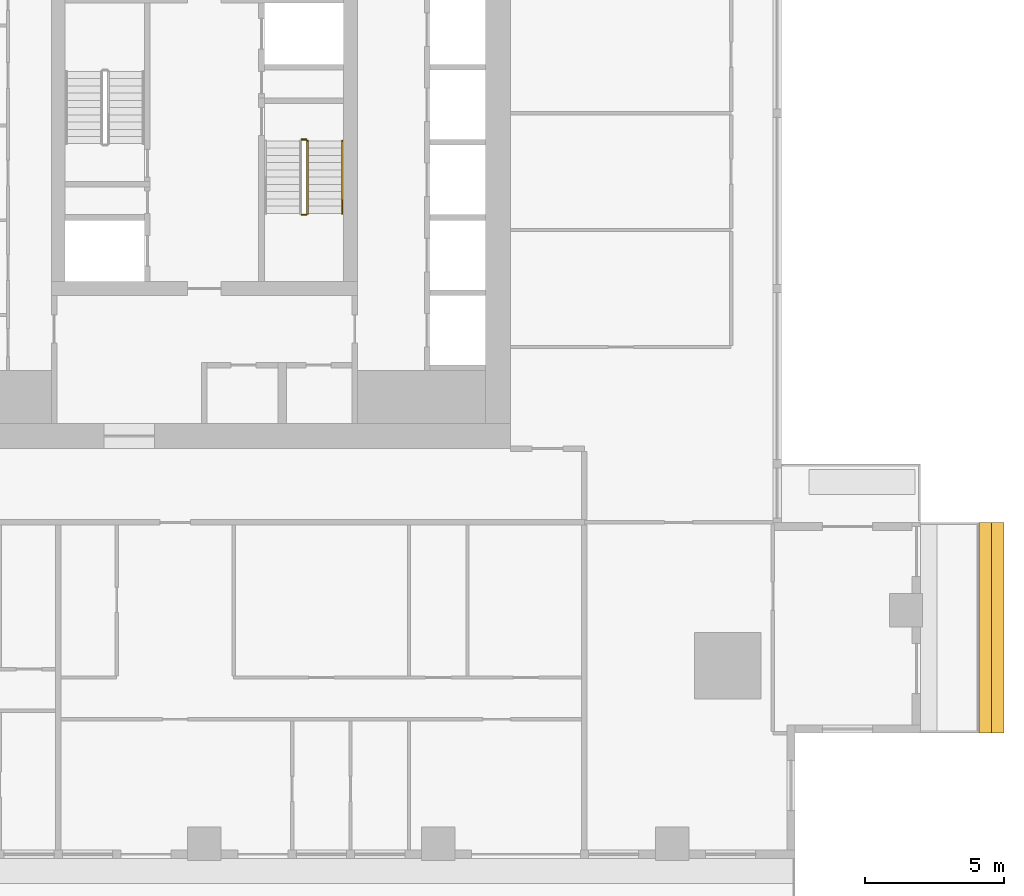
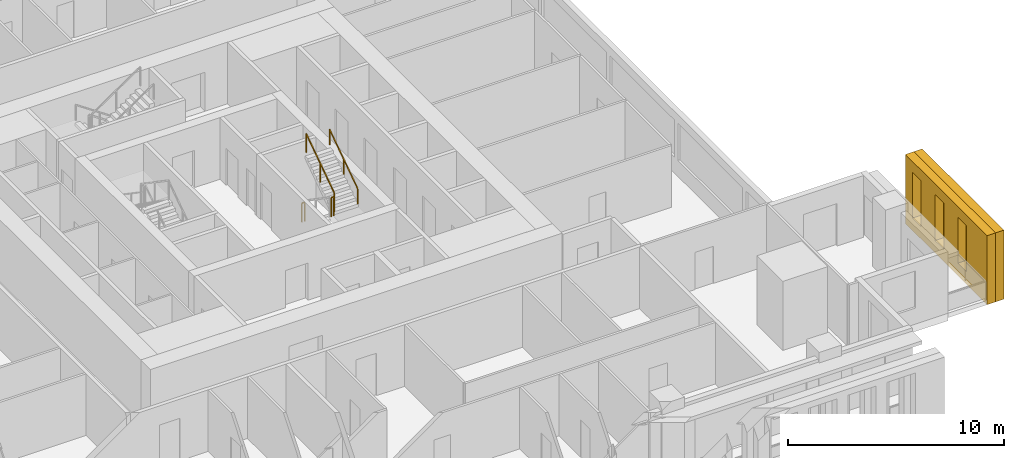
# One storey, part 13 of 15: 4 railings, 2 shading devices.
"""IFC4 building model written with IfcOpenShell, lengths in metres."""

import ifcopenshell
import ifcopenshell.guid

model = None  # the IFC model being written
_history = None  # IfcOwnerHistory: only IFC2X3 demands one
_inside = {}  # id of a spatial element -> (the spatial element, [elements in it])
_under = {}  # id of a project, library or spatial element -> (it, [spatial elements below it])
_declared = {}  # id of a project -> (the project, [libraries it declares])
_typed = {}  # id of a type object -> (the type object, [elements of that type])
_made_of = {}  # id of a material, layer set ... -> (it, [elements and type objects made of it])


def new_model(schema):
    """Start an empty IFC model of exactly this schema.

    Asked for "IFC4X3", IfcOpenShell would pick the latest addendum, in which some entities
    have other attributes; the version numbers below select the first issue.
    IFC2X3 requires an IfcOwnerHistory on every rooted entity: one is made here for all.
    """
    global model, _history
    if schema == "IFC4X3":
        model = ifcopenshell.file(schema_version=(4, 3, 0, 0))
    else:
        model = ifcopenshell.file(schema=schema)
    _inside.clear()
    _under.clear()
    _declared.clear()
    _typed.clear()
    _made_of.clear()
    _history = None
    if model.schema == "IFC2X3":
        org = make("IfcOrganization", Name="unknown")
        user = make(
            "IfcPersonAndOrganization",
            ThePerson=make("IfcPerson", FamilyName="unknown"),
            TheOrganization=org,
        )
        app = make(
            "IfcApplication",
            ApplicationDeveloper=org,
            Version="unknown",
            ApplicationFullName="unknown",
            ApplicationIdentifier="unknown",
        )
        _history = make(
            "IfcOwnerHistory",
            OwningUser=user,
            OwningApplication=app,
            ChangeAction="ADDED",
            CreationDate=0,
        )
    return model


def make(cls, **values):
    """One entity of the class cls with the attributes given. An attribute that is None is left unset."""
    return model.create_entity(
        cls, **{name: value for name, value in values.items() if value is not None}
    )


def rooted(cls, **values):
    """An entity with a GlobalId (a new one), such as an element, a storey or a relation."""
    return make(cls, GlobalId=ifcopenshell.guid.new(), OwnerHistory=_history, **values)


def si_unit(unit_type, name, prefix=None):
    """IfcSIUnit, for example si_unit("LENGTHUNIT", "METRE", prefix="MILLI")."""
    return make("IfcSIUnit", UnitType=unit_type, Prefix=prefix, Name=name)


def assignment(units):
    """IfcUnitAssignment: the units of a project."""
    return None if units is None else make("IfcUnitAssignment", Units=units)


def point(xyz):
    """IfcCartesianPoint."""
    return None if xyz is None else make("IfcCartesianPoint", Coordinates=xyz)


def direction(xyz):
    """IfcDirection."""
    return None if xyz is None else make("IfcDirection", DirectionRatios=xyz)


def frame(location, z_axis=None, x_axis=None):
    """IfcAxis2Placement3D, a coordinate frame: its origin and axes. An axis left out is left unset."""
    return make(
        "IfcAxis2Placement3D",
        Location=point(location),
        Axis=direction(z_axis),
        RefDirection=direction(x_axis),
    )


def frame_2d(location, x_axis=None):
    """IfcAxis2Placement2D, a coordinate frame in the plane: its origin and x axis."""
    return make(
        "IfcAxis2Placement2D", Location=point(location), RefDirection=direction(x_axis)
    )


def origin():
    """The frame at (0, 0, 0) with its axes left unset."""
    return frame((0.0, 0.0, 0.0))


def origin_2d():
    """The frame at (0, 0) in the plane with its x axis left unset."""
    return frame_2d((0.0, 0.0))


def place(relative_to, where):
    """IfcLocalPlacement: puts the frame where relative to a parent placement (None: the world)."""
    return make(
        "IfcLocalPlacement", PlacementRelTo=relative_to, RelativePlacement=where
    )


def context(
    kind, dimensions, precision=None, world=None, true_north=None, identifier=None
):
    """IfcGeometricRepresentationContext, for example the 3D "Model" context."""
    return make(
        "IfcGeometricRepresentationContext",
        ContextIdentifier=identifier,
        ContextType=kind,
        CoordinateSpaceDimension=dimensions,
        Precision=precision,
        WorldCoordinateSystem=world,
        TrueNorth=true_north,
    )


def subcontext(parent, identifier, kind, view, scale=None):
    """IfcGeometricRepresentationSubContext, for example "Body" below "Model"."""
    return make(
        "IfcGeometricRepresentationSubContext",
        ContextIdentifier=identifier,
        ContextType=kind,
        ParentContext=parent,
        TargetScale=scale,
        TargetView=view,
    )


def project(units=None, contexts=None):
    """IfcProject with its units and contexts."""
    return rooted(
        "IfcProject",
        Name="project",
        RepresentationContexts=contexts,
        UnitsInContext=assignment(units),
    )


def spatial(cls, under=None, at=None, **own):
    """A site, building, storey or space (cls), placed at a placement, below another one or the project."""
    s = rooted(cls, ObjectPlacement=at, **own)
    if under is not None:
        _under.setdefault(under.id(), (under, []))[1].append(s)
    return s


def polyline(points):
    """IfcPolyline through the points."""
    return make("IfcPolyline", Points=[point(p) for p in points])


def profile(cls, at=None, kind="AREA", **sizes):
    """A parametric profile (cls). Its sizes go by their IFC names, for example OverallWidth=200.0."""
    return make(cls, ProfileType=kind, Position=at, **sizes)


def rectangle(**sizes):
    """IfcRectangleProfileDef."""
    return profile("IfcRectangleProfileDef", **sizes)


def outline(outer, holes=None, kind="AREA"):
    """IfcArbitraryClosedProfileDef: a profile drawn as a closed curve; with holes, ...WithVoids."""
    if holes is None:
        return make("IfcArbitraryClosedProfileDef", ProfileType=kind, OuterCurve=outer)
    return make(
        "IfcArbitraryProfileDefWithVoids",
        ProfileType=kind,
        OuterCurve=outer,
        InnerCurves=holes,
    )


def extrude(swept, where, along, depth):
    """IfcExtrudedAreaSolid: the profile swept, set in the frame where, extruded along a direction by depth."""
    return make(
        "IfcExtrudedAreaSolid",
        SweptArea=swept,
        Position=where,
        ExtrudedDirection=direction(along),
        Depth=depth,
    )


def shape(context_of_items, identifier, shape_type, items):
    """IfcShapeRepresentation: the items that make up one representation, for example the "Body"."""
    return make(
        "IfcShapeRepresentation",
        ContextOfItems=context_of_items,
        RepresentationIdentifier=identifier,
        RepresentationType=shape_type,
        Items=items,
    )


def material(Name=None, Category=None):
    """IfcMaterial."""
    return make("IfcMaterial", Name=Name, Category=Category)


def made_of(thing, what):
    """Note that an element or type object is made of a material, layer set ...; save() writes the relation."""
    if what is not None:
        _made_of.setdefault(what.id(), (what, []))[1].append(thing)
    return thing


def type_object(cls, material=None, **own):
    """A type object (cls), such as IfcWallType, which elements share."""
    return made_of(rooted(cls, **own), material)


def element(
    cls,
    number,
    at=None,
    inside=None,
    cuts=None,
    type_object=None,
    material=None,
    context=None,
    identifier="Body",
    shape_type=None,
    held_by="IfcProductDefinitionShape",
    body=None,
    shapes=None,
    **own,
):
    """One element of the class cls, such as IfcWall. Its Tag is "e" and its number.

    at: its placement. inside: the storey or other place that contains it. cuts: it is an
    opening in that element (IfcRelVoidsElement). A single representation is given by context,
    identifier, shape_type and body (its items); several are given by shapes. held_by: the class
    of the entity that holds the representations. save() writes the other relations.
    """
    e = rooted(cls, Tag="e%d" % number, ObjectPlacement=at, **own)
    if body is not None:
        shapes = [shape(context, identifier, shape_type, body)]
    if shapes is not None:
        e.Representation = make(held_by, Representations=shapes)
    if inside is not None:
        _inside.setdefault(inside.id(), (inside, []))[1].append(e)
    if cuts is not None:
        rooted(
            "IfcRelVoidsElement", RelatingBuildingElement=cuts, RelatedOpeningElement=e
        )
    if type_object is not None:
        _typed.setdefault(type_object.id(), (type_object, []))[1].append(e)
    return made_of(e, material)


def aggregate(whole, parts):
    """IfcRelAggregates: a whole, such as a stair, and the parts it consists of."""
    return rooted("IfcRelAggregates", RelatingObject=whole, RelatedObjects=parts)


def save(model, path):
    """Write the relations noted so far, then the file.

    IfcRelAggregates (storeys below a building ...), IfcRelContainedInSpatialStructure (elements
    in a storey), IfcRelDefinesByType, IfcRelAssociatesMaterial and IfcRelDeclares: one each for
    every whole, place, type object, material and project.
    """
    for whole, parts in _under.values():
        aggregate(whole, parts)
    for where, things in _inside.values():
        rooted(
            "IfcRelContainedInSpatialStructure",
            RelatedElements=things,
            RelatingStructure=where,
        )
    for kind, things in _typed.values():
        rooted("IfcRelDefinesByType", RelatedObjects=things, RelatingType=kind)
    for what, things in _made_of.values():
        rooted("IfcRelAssociatesMaterial", RelatedObjects=things, RelatingMaterial=what)
    for by, libraries in _declared.values():
        rooted("IfcRelDeclares", RelatingContext=by, RelatedDefinitions=libraries)
    model.write(path)


model = new_model("IFC4")

# Units and contexts
model_context = context("Model", 3, precision=1e-05, world=origin(), true_north=direction((0.0, 1.0)))
body_context = subcontext(model_context, "Body", "Model", "MODEL_VIEW")
ifc_project = project(units=[si_unit("LENGTHUNIT", "METRE"), si_unit("AREAUNIT", "SQUARE_METRE"), si_unit("VOLUMEUNIT", "CUBIC_METRE"), si_unit("PLANEANGLEUNIT", "RADIAN"), si_unit("MASSUNIT", "GRAM", prefix="KILO")], contexts=[model_context])

# Site, building, storey
site_placement = place(None, origin())
site = spatial("IfcSite", under=ifc_project, at=site_placement, CompositionType="ELEMENT")
building_placement = place(site_placement, origin())
building = spatial("IfcBuilding", under=site, at=building_placement, Name="Khepri Terraces", CompositionType="ELEMENT")
storey_placement = place(building_placement, frame((0.0, 0.0, 227.39990234375)))
storey = spatial("IfcBuildingStorey", under=building, at=storey_placement, Name="L54", CompositionType="ELEMENT", Elevation=227.39990234375)

# Railings
ifc_material_1 = material(Name="Stainless steel 316", Category="steel")
railing_type_1 = type_object("IfcRailingType", Name="RL-CORE-GUARD", PredefinedType="GUARDRAIL", material=ifc_material_1)
railing_1_placement = place(storey_placement, frame((3.5, -2.60009765625, 1.9501953125)))
element("IfcRailing", 1, at=railing_1_placement, inside=storey, type_object=railing_type_1, Name="L54 ST-2 stair guard 2", PredefinedType="GUARDRAIL", context=body_context, shape_type="SweptSolid", body=[
    extrude(rectangle(XDim=0.050048828125, YDim=0.06005859375, at=origin_2d()), frame((0.0, 0.0, 1.070068359375), z_axis=(1.0, 0.0, 0.0), x_axis=(0.0, 1.0, 0.0)), (0.0, 0.0, 1.0), 0.14990234375),
    extrude(rectangle(XDim=0.050048828125, YDim=0.050048828125, at=origin_2d()), origin(), (0.0, 0.0, 1.0), 1.0400390625),
    extrude(rectangle(XDim=0.050048828125, YDim=0.050048828125, at=origin_2d()), frame((0.14990234375, 0.0, 0.0)), (0.0, 0.0, 1.0), 1.0400390625),
])
railing_2_placement = place(storey_placement, frame((3.699951171875, -2.550048828125, 2.12744140625)))
element("IfcRailing", 2, at=railing_2_placement, inside=storey, type_object=railing_type_1, Name="L54 ST-2 stair guard 3", PredefinedType="GUARDRAIL", context=body_context, shape_type="SweptSolid", body=[
    extrude(rectangle(XDim=0.050048828125, YDim=0.06005859375, at=origin_2d()), frame((0.0, 0.0, 1.070068359375), z_axis=(0.0, 0.826240473404, 0.563317565952), x_axis=(-1.0, 0.0, 0.0)), (0.0, 0.0, 1.0), 3.14697265625),
    extrude(rectangle(XDim=0.050048828125, YDim=0.050048828125, at=origin_2d()), origin(), (0.0, 0.0, 1.0), 1.0400390625),
    extrude(rectangle(XDim=0.050048828125, YDim=0.050048828125, at=origin_2d()), frame((0.0, 1.300048828125, 0.88623046875)), (0.0, 0.0, 1.0), 1.0400390625),
    extrude(rectangle(XDim=0.050048828125, YDim=0.050048828125, at=origin_2d()), frame((0.0, 2.60009765625, 1.772705078125)), (0.0, 0.0, 1.0), 1.0400390625),
])
railing_3_placement = place(storey_placement, frame((3.5, 0.10009765625, 0.0)))
element("IfcRailing", 3, at=railing_3_placement, inside=storey, type_object=railing_type_1, Name="L54 ST-2 stair guard 4", PredefinedType="GUARDRAIL", context=body_context, shape_type="SweptSolid", body=[
    extrude(rectangle(XDim=0.050048828125, YDim=0.06005859375, at=origin_2d()), frame((0.0, 0.0, 1.070068359375), z_axis=(1.0, 0.0, 0.0), x_axis=(0.0, 1.0, 0.0)), (0.0, 0.0, 1.0), 0.14990234375),
    extrude(rectangle(XDim=0.050048828125, YDim=0.050048828125, at=origin_2d()), origin(), (0.0, 0.0, 1.0), 1.0400390625),
    extrude(rectangle(XDim=0.050048828125, YDim=0.050048828125, at=origin_2d()), frame((0.14990234375, 0.0, 0.0)), (0.0, 0.0, 1.0), 1.0400390625),
])
railing_type_2 = type_object("IfcRailingType", Name="RL-CORE-HANDRAIL", PredefinedType="HANDRAIL", material=ifc_material_1)
railing_4_placement = place(storey_placement, frame((4.949951171875, -2.550048828125, 2.12744140625)))
element("IfcRailing", 4, at=railing_4_placement, inside=storey, type_object=railing_type_2, Name="L54 ST-2 stair handrail 2", PredefinedType="HANDRAIL", context=body_context, shape_type="SweptSolid", body=[
    extrude(rectangle(XDim=0.050048828125, YDim=0.050048828125, at=origin_2d()), frame((0.0, 0.0, 0.875), z_axis=(0.0, 0.826240473404, 0.563317565952), x_axis=(-1.0, 0.0, 0.0)), (0.0, 0.0, 1.0), 3.14697265625),
    extrude(rectangle(XDim=0.050048828125, YDim=0.050048828125, at=origin_2d()), origin(), (0.0, 0.0, 1.0), 0.849853515625),
    extrude(rectangle(XDim=0.050048828125, YDim=0.050048828125, at=origin_2d()), frame((0.0, 1.300048828125, 0.88623046875)), (0.0, 0.0, 1.0), 0.849853515625),
    extrude(rectangle(XDim=0.050048828125, YDim=0.050048828125, at=origin_2d()), frame((0.0, 2.60009765625, 1.772705078125)), (0.0, 0.0, 1.0), 0.849853515625),
])

# Shading devices
ifc_material_2 = material(Name="Precast concrete C50/60 warm stone", Category="masonry")
shading_device_type_1 = type_object("IfcShadingDeviceType", Name="SCR-CELL-INNER-450", PredefinedType="USERDEFINED", material=ifc_material_2)
shading_device_1_placement = place(storey_placement, frame((27.820068359375, -21.219970703125, -0.25), z_axis=(1.0, 0.0, 0.0), x_axis=(0.0, 1.0, 0.0)))
element("IfcShadingDevice", 5, at=shading_device_1_placement, inside=storey, type_object=shading_device_type_1, Name="Cell screen L54 E in", ObjectType="SCREEN", PredefinedType="USERDEFINED", context=body_context, shape_type="SweptSolid", body=[
    extrude(outline(polyline([(0.0, 0.0), (7.570068359375, 0.0), (7.570068359375, 3.89990234375), (0.0, 3.89990234375), (0.0, 0.0)]), holes=[polyline([(1.91845703125, 0.699951171875), (2.7216796875, 0.699951171875), (2.7216796875, 3.300048828125), (1.91845703125, 3.300048828125), (1.91845703125, 0.699951171875)]), polyline([(4.018310546875, 0.699951171875), (4.821533203125, 0.699951171875), (4.821533203125, 3.300048828125), (4.018310546875, 3.300048828125), (4.018310546875, 0.699951171875)]), polyline([(6.118408203125, 0.699951171875), (6.921630859375, 0.699951171875), (6.921630859375, 3.300048828125), (6.118408203125, 3.300048828125), (6.118408203125, 0.699951171875)])]), origin(), (0.0, 0.0, 1.0), 0.449951171875),
])
shading_device_type_2 = type_object("IfcShadingDeviceType", Name="SCR-CELL-OUTER-450", PredefinedType="USERDEFINED", material=ifc_material_2)
shading_device_2_placement = place(storey_placement, frame((28.27001953125, -21.219970703125, -0.25), z_axis=(1.0, 0.0, 0.0), x_axis=(0.0, 1.0, 0.0)))
element("IfcShadingDevice", 6, at=shading_device_2_placement, inside=storey, type_object=shading_device_type_2, Name="Cell screen L54 E out", ObjectType="SCREEN", PredefinedType="USERDEFINED", context=body_context, shape_type="SweptSolid", body=[
    extrude(outline(polyline([(0.0, 0.0), (7.570068359375, 0.0), (7.570068359375, 3.89990234375), (0.0, 3.89990234375), (0.0, 0.0)]), holes=[polyline([(1.568359375, 0.449951171875), (3.071533203125, 0.449951171875), (3.071533203125, 3.550048828125), (1.568359375, 3.550048828125), (1.568359375, 0.449951171875)]), polyline([(3.66845703125, 0.449951171875), (5.171630859375, 0.449951171875), (5.171630859375, 3.550048828125), (3.66845703125, 3.550048828125), (3.66845703125, 0.449951171875)]), polyline([(5.768310546875, 0.449951171875), (7.271484375, 0.449951171875), (7.271484375, 3.550048828125), (5.768310546875, 3.550048828125), (5.768310546875, 0.449951171875)])]), origin(), (0.0, 0.0, 1.0), 0.449951171875),
])

save(model, "model.ifc")
